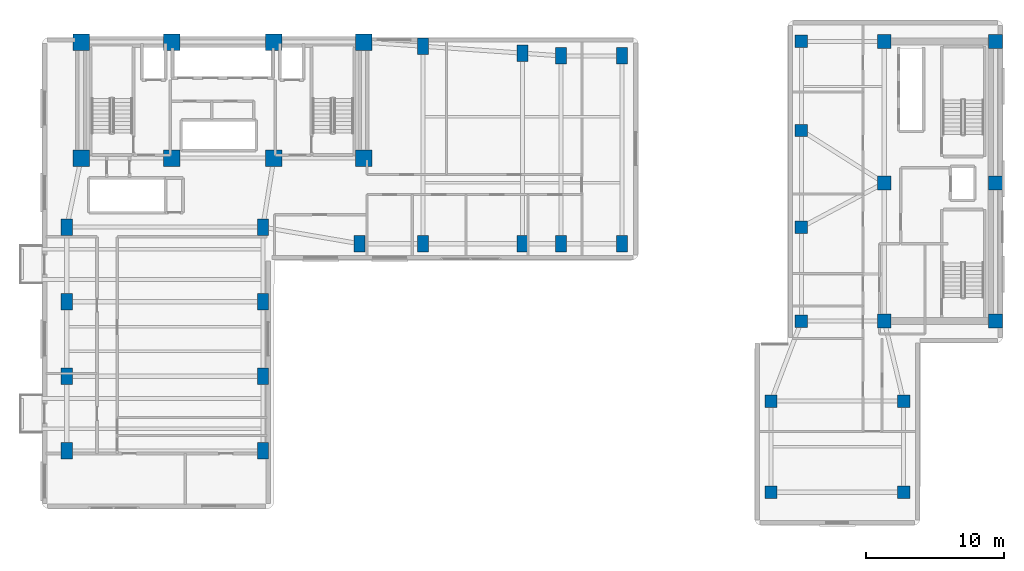
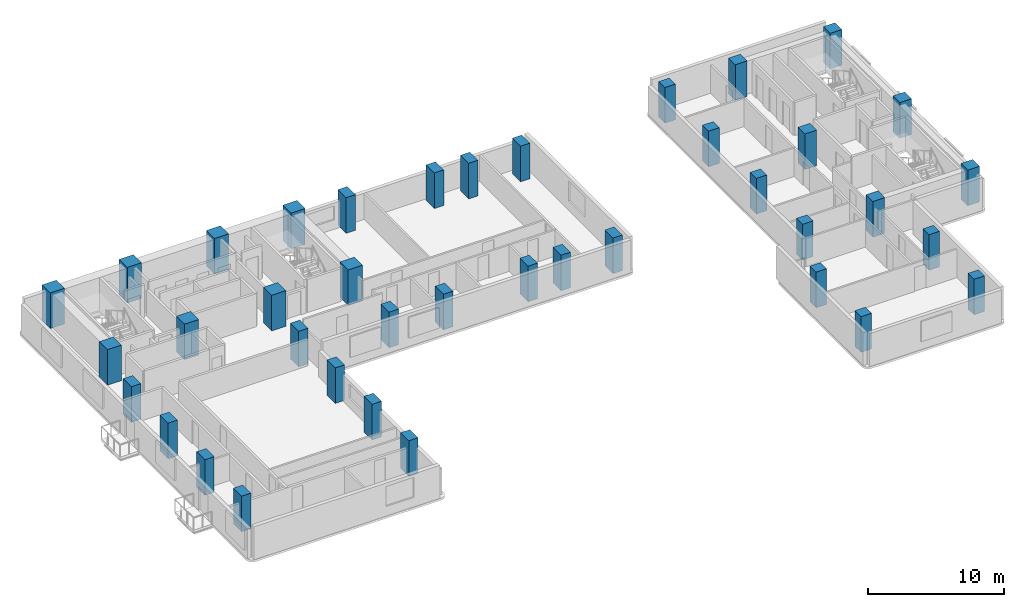
# One storey, part 1 of 15: 39 columns.
"""IFC4 building model written with IfcOpenShell, lengths in metres."""

from ifc_helpers import new_model, si_unit, direction, frame, origin, origin_2d, place, context, subcontext, project, spatial, rectangle, extrude, material, material_profile, profile_set, type_object, element, save


model = new_model("IFC4")

# Units and contexts
model_context = context("Model", 3, precision=1e-05, world=origin(), true_north=direction((0.0, 1.0)))
body_context = subcontext(model_context, "Body", "Model", "MODEL_VIEW")
ifc_project = project(units=[si_unit("LENGTHUNIT", "METRE"), si_unit("AREAUNIT", "SQUARE_METRE"), si_unit("VOLUMEUNIT", "CUBIC_METRE"), si_unit("PLANEANGLEUNIT", "RADIAN"), si_unit("MASSUNIT", "GRAM", prefix="KILO")], contexts=[model_context])

# Site, building, storey
site_placement = place(None, origin())
site = spatial("IfcSite", under=ifc_project, at=site_placement, CompositionType="ELEMENT")
building_placement = place(site_placement, origin())
building = spatial("IfcBuilding", under=site, at=building_placement, Name="Kuzgunbayir Cultural Tower", CompositionType="ELEMENT")
storey_placement = place(building_placement, frame((0.0, 0.0, 72.39990234375)))
storey = spatial("IfcBuildingStorey", under=building, at=storey_placement, Name="L20", CompositionType="ELEMENT", Elevation=72.39990234375)

# Columns
ifc_material = material(Name="Concrete C60/75", Category="concrete")
ifc_material_profile_1 = material_profile(ifc_material, rectangle(XDim=1.199951171875, YDim=1.199951171875, at=origin_2d()), Name="RC 1200x1200")
ifc_profile_set_1 = profile_set([ifc_material_profile_1], Name="Concrete C60/75")
column_type_1 = type_object("IfcColumnType", Name="COL-CORE-1200", PredefinedType="COLUMN", material=ifc_profile_set_1)
for number, where, z_axis, x_axis, name in (
    (1, (6.449951171875, 33.800048828125, 0.0), (0.0, 0.0, 1.0), (1.0, 0.0, 0.0), "L20 T1 Core Boundary Column CC1-1"),
    (2, (13.0, 33.800048828125, 0.0), (0.0, 0.0, 1.0), (1.0, 0.0, 0.0), "L20 T1 Core Boundary Column CC1-2"),
    (3, (20.39990234375, 33.800048828125, 0.0), (0.0, 0.0, 1.0), (1.0, 0.0, 0.0), "L20 T1 Core Boundary Column CC1-3"),
    (4, (26.89990234375, 33.800048828125, 0.0), (0.0, 0.0, 1.0), (1.0, 0.0, 0.0), "L20 T1 Core Boundary Column CC1-4"),
    (5, (6.449951171875, 42.199951171875, 0.0), (0.0, 0.0, 1.0), (1.0, 0.0, 0.0), "L20 T1 Core Boundary Column CC1-5"),
    (6, (13.0, 42.199951171875, 0.0), (0.0, 0.0, 1.0), (1.0, 0.0, 0.0), "L20 T1 Core Boundary Column CC1-6"),
    (7, (20.39990234375, 42.199951171875, 0.0), (0.0, 0.0, 1.0), (1.0, 0.0, 0.0), "L20 T1 Core Boundary Column CC1-7"),
    (8, (26.89990234375, 42.199951171875, 0.0), (0.0, 0.0, 1.0), (1.0, 0.0, 0.0), "L20 T1 Core Boundary Column CC1-8"),
):
    element("IfcColumn", number, at=place(storey_placement, frame(where, z_axis=z_axis, x_axis=x_axis)), inside=storey, type_object=column_type_1, Name=name, PredefinedType="COLUMN", context=body_context, shape_type="SweptSolid", body=[
        extrude(rectangle(XDim=1.199951171875, YDim=1.199951171875, at=origin_2d()), origin(), (0.0, 0.0, 1.0), 3.2001953125),
    ])
ifc_material_profile_2 = material_profile(ifc_material, rectangle(XDim=0.800048828125, YDim=1.199951171875, at=origin_2d()), Name="RC 1200x800")
ifc_profile_set_2 = profile_set([ifc_material_profile_2], Name="Concrete C60/75")
column_type_2 = type_object("IfcColumnType", Name="COL-T1-1200x800", PredefinedType="COLUMN", material=ifc_profile_set_2)
for number, where, z_axis, x_axis, name in (
    (9, (5.39990234375, 12.60009765625, 0.0), (0.0, 0.0, 1.0), (1.0, 0.0, 0.0), "L20 Tower 1 Wing A Column T1A-W-1"),
    (10, (19.60009765625, 12.60009765625, 0.0), (0.0, 0.0, 1.0), (1.0, 0.0, 0.0), "L20 Tower 1 Wing A Column T1A-E-1"),
    (11, (5.39990234375, 18.0, 0.0), (0.0, 0.0, 1.0), (1.0, 0.0, 0.0), "L20 Tower 1 Wing A Column T1A-W-2"),
    (12, (19.60009765625, 18.0, 0.0), (0.0, 0.0, 1.0), (1.0, 0.0, 0.0), "L20 Tower 1 Wing A Column T1A-E-2"),
    (13, (5.39990234375, 23.39990234375, 0.0), (0.0, 0.0, 1.0), (1.0, 0.0, 0.0), "L20 Tower 1 Wing A Column T1A-W-3"),
    (14, (19.60009765625, 23.39990234375, 0.0), (0.0, 0.0, 1.0), (1.0, 0.0, 0.0), "L20 Tower 1 Wing A Column T1A-E-3"),
    (15, (5.39990234375, 28.800048828125, 0.0), (0.0, 0.0, 1.0), (1.0, 0.0, 0.0), "L20 Tower 1 Wing A Column T1A-W-4"),
    (16, (19.60009765625, 28.800048828125, 0.0), (0.0, 0.0, 1.0), (1.0, 0.0, 0.0), "L20 Tower 1 Wing A Column T1A-E-4"),
    (17, (26.60009765625, 27.60009765625, 0.0), (0.0, 0.0, 1.0), (1.0, 0.0, 0.0), "L20 Tower 1 Wing B Column T1B-1-1"),
    (18, (31.199951171875, 27.60009765625, 0.0), (0.0, 0.0, 1.0), (1.0, 0.0, 0.0), "L20 Tower 1 Wing B Column T1B-2-1"),
    (19, (31.199951171875, 41.89990234375, 0.0), (0.0, 0.0, 1.0), (1.0, 0.0, 0.0), "L20 Tower 1 Wing B Column T1B-2-2"),
    (20, (38.39990234375, 27.60009765625, 0.0), (0.0, 0.0, 1.0), (1.0, 0.0, 0.0), "L20 Tower 1 Wing B Column T1B-3-1"),
    (21, (38.39990234375, 41.39990234375, 0.0), (0.0, 0.0, 1.0), (1.0, 0.0, 0.0), "L20 Tower 1 Wing B Column T1B-3-2"),
    (22, (41.199951171875, 27.60009765625, 0.0), (0.0, 0.0, 1.0), (1.0, 0.0, 0.0), "L20 Tower 1 Wing B Column T1B-4-1"),
    (23, (41.199951171875, 41.199951171875, 0.0), (0.0, 0.0, 1.0), (1.0, 0.0, 0.0), "L20 Tower 1 Wing B Column T1B-4-2"),
    (24, (45.60009765625, 27.60009765625, 0.0), (0.0, 0.0, 1.0), (1.0, 0.0, 0.0), "L20 Tower 1 Wing B Column T1B-5-1"),
    (25, (45.60009765625, 41.199951171875, 0.0), (0.0, 0.0, 1.0), (1.0, 0.0, 0.0), "L20 Tower 1 Wing B Column T1B-5-2"),
):
    element("IfcColumn", number, at=place(storey_placement, frame(where, z_axis=z_axis, x_axis=x_axis)), inside=storey, type_object=column_type_2, Name=name, PredefinedType="COLUMN", context=body_context, shape_type="SweptSolid", body=[
        extrude(rectangle(XDim=0.800048828125, YDim=1.199951171875, at=origin_2d()), origin(), (0.0, 0.0, 1.0), 3.2001953125),
    ])
ifc_material_profile_3 = material_profile(ifc_material, rectangle(XDim=1.0, YDim=1.0, at=origin_2d()), Name="RC 1000x1000")
ifc_profile_set_3 = profile_set([ifc_material_profile_3], Name="Concrete C60/75")
column_type_3 = type_object("IfcColumnType", Name="COL-T2-1000", PredefinedType="COLUMN", material=ifc_profile_set_3)
for number, where, z_axis, x_axis, name in (
    (26, (64.60009765625, 22.0, 0.0), (0.0, 0.0, 1.0), (1.0, 0.0, 0.0), "L20 T2 Core Boundary Column CC2-1"),
    (27, (72.64990234375, 22.0, 0.0), (0.0, 0.0, 1.0), (1.0, 0.0, 0.0), "L20 T2 Core Boundary Column CC2-2"),
    (28, (64.60009765625, 32.0, 0.0), (0.0, 0.0, 1.0), (1.0, 0.0, 0.0), "L20 T2 Core Boundary Column CC2-3"),
    (29, (72.64990234375, 32.0, 0.0), (0.0, 0.0, 1.0), (1.0, 0.0, 0.0), "L20 T2 Core Boundary Column CC2-4"),
    (30, (64.60009765625, 42.25, 0.0), (0.0, 0.0, 1.0), (1.0, 0.0, 0.0), "L20 T2 Core Boundary Column CC2-5"),
    (31, (72.64990234375, 42.25, 0.0), (0.0, 0.0, 1.0), (1.0, 0.0, 0.0), "L20 T2 Core Boundary Column CC2-6"),
):
    element("IfcColumn", number, at=place(storey_placement, frame(where, z_axis=z_axis, x_axis=x_axis)), inside=storey, type_object=column_type_3, Name=name, PredefinedType="COLUMN", context=body_context, shape_type="SweptSolid", body=[
        extrude(rectangle(XDim=1.0, YDim=1.0, at=origin_2d()), origin(), (0.0, 0.0, 1.0), 3.2001953125),
    ])
ifc_material_profile_4 = material_profile(ifc_material, rectangle(XDim=0.89990234375, YDim=0.89990234375, at=origin_2d()), Name="RC 900x900")
ifc_profile_set_4 = profile_set([ifc_material_profile_4], Name="Concrete C60/75")
column_type_4 = type_object("IfcColumnType", Name="COL-T2-900", PredefinedType="COLUMN", material=ifc_profile_set_4)
for number, where, z_axis, x_axis, name in (
    (32, (58.60009765625, 22.0, 0.0), (0.0, 0.0, 1.0), (1.0, 0.0, 0.0), "L20 Companion Wing A Column T2A-W-1"),
    (33, (58.60009765625, 28.800048828125, 0.0), (0.0, 0.0, 1.0), (1.0, 0.0, 0.0), "L20 Companion Wing A Column T2A-W-2"),
    (34, (58.60009765625, 35.800048828125, 0.0), (0.0, 0.0, 1.0), (1.0, 0.0, 0.0), "L20 Companion Wing A Column T2A-W-3"),
    (35, (58.60009765625, 42.25, 0.0), (0.0, 0.0, 1.0), (1.0, 0.0, 0.0), "L20 Companion Wing A Column T2A-W-4"),
    (36, (56.39990234375, 9.60009765625, 0.0), (0.0, 0.0, 1.0), (1.0, 0.0, 0.0), "L20 Companion Wing B Column T2B-1-1"),
    (37, (56.39990234375, 16.199951171875, 0.0), (0.0, 0.0, 1.0), (1.0, 0.0, 0.0), "L20 Companion Wing B Column T2B-1-2"),
    (38, (66.0, 9.60009765625, 0.0), (0.0, 0.0, 1.0), (1.0, 0.0, 0.0), "L20 Companion Wing B Column T2B-2-1"),
    (39, (66.0, 16.199951171875, 0.0), (0.0, 0.0, 1.0), (1.0, 0.0, 0.0), "L20 Companion Wing B Column T2B-2-2"),
):
    element("IfcColumn", number, at=place(storey_placement, frame(where, z_axis=z_axis, x_axis=x_axis)), inside=storey, type_object=column_type_4, Name=name, PredefinedType="COLUMN", context=body_context, shape_type="SweptSolid", body=[
        extrude(rectangle(XDim=0.89990234375, YDim=0.89990234375, at=origin_2d()), origin(), (0.0, 0.0, 1.0), 3.2001953125),
    ])

save(model, "model.ifc")
